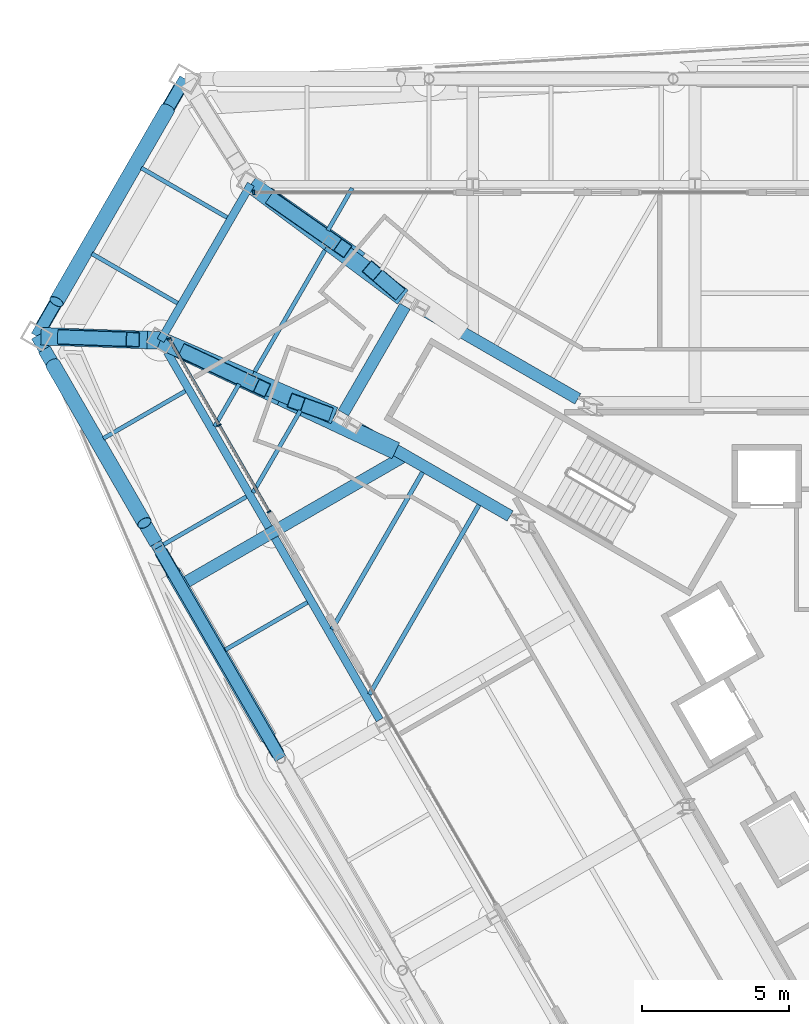
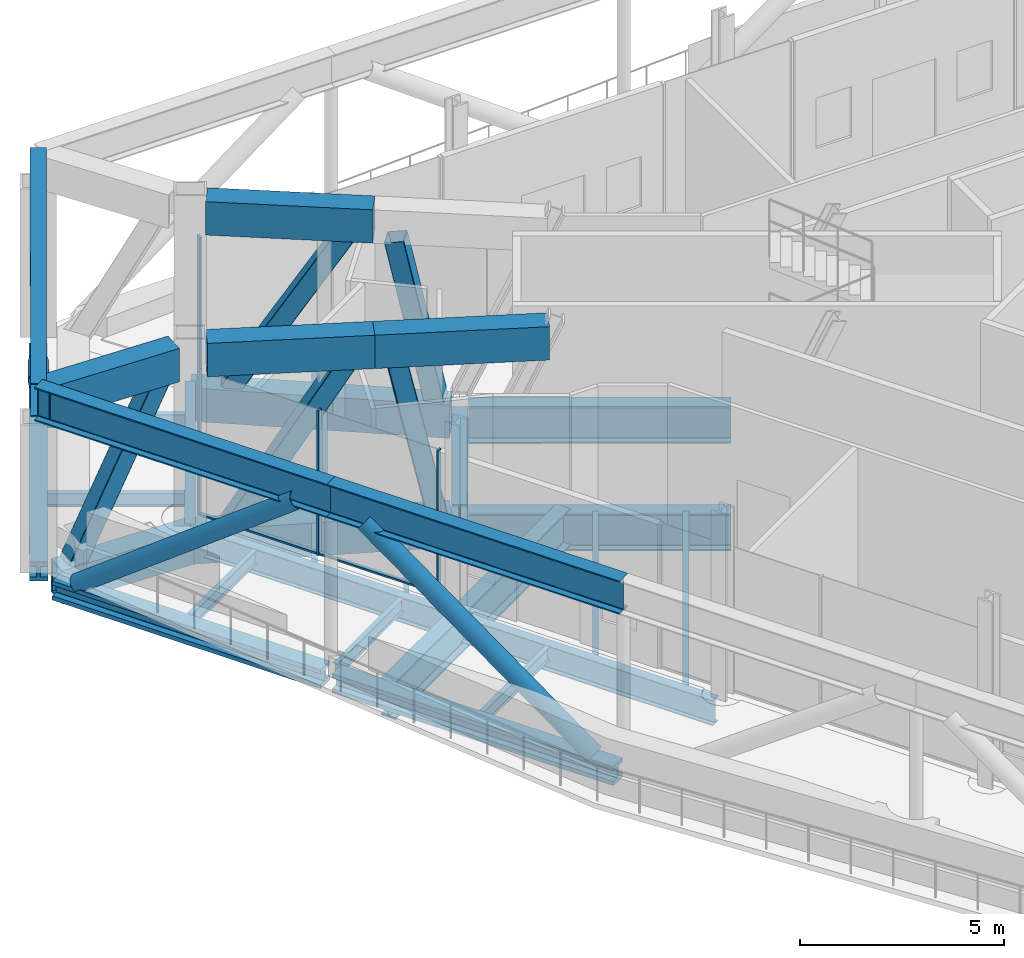
# One storey, part 9 of 25: 33 beams, 14 members, 2 elements without a shape of their own.
"""IFC4 building model written with IfcOpenShell, lengths in metres."""

from ifc_helpers import new_model, si_unit, direction, frame, origin, origin_2d, place, context, subcontext, project, spatial, rectangle, hollow_rectangle, hollow_circle, i_section, extrude, material, material_profile, profile_set, type_object, element, aggregate, save


model = new_model("IFC4")

# Units and contexts
model_context = context("Model", 3, precision=1e-05, world=origin(), true_north=direction((0.0, 1.0)))
body_context = subcontext(model_context, "Body", "Model", "MODEL_VIEW")
ifc_project = project(units=[si_unit("LENGTHUNIT", "METRE"), si_unit("AREAUNIT", "SQUARE_METRE"), si_unit("VOLUMEUNIT", "CUBIC_METRE"), si_unit("PLANEANGLEUNIT", "RADIAN"), si_unit("MASSUNIT", "GRAM", prefix="KILO")], contexts=[model_context])

# Site, building, storey
site_placement = place(None, origin())
site = spatial("IfcSite", under=ifc_project, at=site_placement, CompositionType="ELEMENT")
building_placement = place(site_placement, origin())
building = spatial("IfcBuilding", under=site, at=building_placement, Name="Verrane Prism Tower", CompositionType="ELEMENT")
storey_placement = place(building_placement, frame((0.0, 0.0, 143.199951171875)))
storey = spatial("IfcBuildingStorey", under=building, at=storey_placement, Name="L35", CompositionType="ELEMENT", Elevation=143.199951171875)

# Beams
ifc_material_1 = material(Name="Steel A992", Category="steel")
ifc_material_profile_1 = material_profile(ifc_material_1, i_section(OverallWidth=0.45458984375, OverallDepth=0.56884765625, WebThickness=0.077880859375, FlangeThickness=0.124755859375, FilletRadius=0.01513671875, at=origin_2d()), Name="W14x730")
ifc_profile_set_1 = profile_set([ifc_material_profile_1], Name="Steel A992")
beam_type_1 = type_object("IfcBeamType", Name="Belt truss chord W14x730", PredefinedType="BEAM", material=ifc_profile_set_1)
beam_1_placement = place(storey_placement, frame((-29.660400390625, 10.999755859375, -0.445556640625), z_axis=(0.499529773895, -0.866296718794, 0.0), x_axis=(0.866296718794, 0.499529773895, 0.0)))
element("IfcBeam", 1, at=beam_1_placement, inside=storey, type_object=beam_type_1, Name="Belt truss chord L35", PredefinedType="BEAM", context=body_context, shape_type="SweptSolid", body=[
    extrude(i_section(OverallWidth=0.45458984375, OverallDepth=0.56884765625, WebThickness=0.077880859375, FlangeThickness=0.124755859375, FilletRadius=0.01513671875, at=origin_2d()), origin(), (0.0, 0.0, 1.0), 7.605712890625),
])
beam_2_placement = place(storey_placement, frame((-25.69873046875, 4.12939453125, -0.445556640625), z_axis=(0.50043226125, -0.865775693757, 0.0), x_axis=(0.865775693757, 0.50043226125, 0.0)))
element("IfcBeam", 2, at=beam_2_placement, inside=storey, type_object=beam_type_1, Name="Belt truss chord L35", PredefinedType="BEAM", context=body_context, shape_type="SweptSolid", body=[
    extrude(i_section(OverallWidth=0.45458984375, OverallDepth=0.56884765625, WebThickness=0.077880859375, FlangeThickness=0.124755859375, FilletRadius=0.01513671875, at=origin_2d()), origin(), (0.0, 0.0, 1.0), 7.96826171875),
])
beam_3_placement = place(storey_placement, frame((-25.0546875, 19.88671875, -0.445556640625), z_axis=(-0.499562619687, -0.866277778205, 0.0), x_axis=(0.866277778205, -0.499562619687, 0.0)))
element("IfcBeam", 3, at=beam_3_placement, inside=storey, type_object=beam_type_1, Name="Belt truss chord L35", PredefinedType="BEAM", context=body_context, shape_type="SweptSolid", body=[
    extrude(i_section(OverallWidth=0.45458984375, OverallDepth=0.56884765625, WebThickness=0.077880859375, FlangeThickness=0.124755859375, FilletRadius=0.01513671875, at=origin_2d()), origin(), (0.0, 0.0, 1.0), 9.38916015625),
])
ifc_material_2 = material(Name="Steel A992", Category="steel")
ifc_material_profile_2 = material_profile(ifc_material_2, i_section(OverallWidth=0.4013671875, OverallDepth=1.000732421875, WebThickness=0.01904296875, FlangeThickness=0.0361328125, FilletRadius=0.030029296875, at=origin_2d()), Name="W40x249")
ifc_profile_set_2 = profile_set([ifc_material_profile_2], Name="Steel A992")
beam_type_2 = type_object("IfcBeamType", Name="Belt truss chord W40x249", PredefinedType="BEAM", material=ifc_profile_set_2)
beam_4_placement = place(storey_placement, frame((-29.919921875, 11.449951171875, 4.939697265625), z_axis=(0.499507376936, -0.866309633091, 0.0), x_axis=(0.866309633091, 0.499507376936, 0.0)))
element("IfcBeam", 4, at=beam_4_placement, inside=storey, type_object=beam_type_2, Name="Belt truss chord L35", PredefinedType="BEAM", context=body_context, shape_type="SweptSolid", body=[
    extrude(i_section(OverallWidth=0.4013671875, OverallDepth=1.000732421875, WebThickness=0.01904296875, FlangeThickness=0.0361328125, FilletRadius=0.030029296875, at=origin_2d()), origin(), (0.0, 0.0, 1.0), 8.287841796875),
])
beam_5_placement = place(storey_placement, frame((-25.780029296875, 4.27001953125, 4.939697265625), z_axis=(0.500435030405, -0.865774093135, 0.0), x_axis=(0.865774093135, 0.500435030405, 0.0)))
element("IfcBeam", 5, at=beam_5_placement, inside=storey, type_object=beam_type_2, Name="Belt truss chord L35", PredefinedType="BEAM", context=body_context, shape_type="SweptSolid", body=[
    extrude(i_section(OverallWidth=0.4013671875, OverallDepth=1.000732421875, WebThickness=0.01904296875, FlangeThickness=0.0361328125, FilletRadius=0.030029296875, at=origin_2d()), origin(), (0.0, 0.0, 1.0), 8.29296875),
])
beam_6_placement = place(storey_placement, frame((-24.8798828125, 20.18994140625, 4.939697265625), z_axis=(-0.499554155602, -0.866282659194, 0.0), x_axis=(0.866282659194, -0.499554155602, 0.0)))
element("IfcBeam", 6, at=beam_6_placement, inside=storey, type_object=beam_type_2, Name="Belt truss chord L35", PredefinedType="BEAM", context=body_context, shape_type="SweptSolid", body=[
    extrude(i_section(OverallWidth=0.4013671875, OverallDepth=1.000732421875, WebThickness=0.01904296875, FlangeThickness=0.0361328125, FilletRadius=0.030029296875, at=origin_2d()), origin(), (0.0, 0.0, 1.0), 10.089111328125),
])

# Members
ifc_material_3 = material(Name="Steel A500 Grade C", Category="steel")
ifc_material_profile_3 = material_profile(ifc_material_3, hollow_circle(Radius=0.25390625, WallThickness=0.0126953125, at=origin_2d()), Name="HSS20.000x0.500")
ifc_profile_set_3 = profile_set([ifc_material_profile_3], Name="Steel A500 Grade C")
member_type_1 = type_object("IfcMemberType", Name="Belt truss diagonal HSS20.000x0.500", PredefinedType="BRACE", material=ifc_profile_set_3)
member_1_placement = place(storey_placement, frame((-25.4697265625, 19.16748046875, -0.160888671875), z_axis=(-0.423968800336, -0.735208230676, 0.528884972265), x_axis=(0.866282369064, -0.499554658721, 0.0)))
element("IfcMember", 7, at=member_1_placement, inside=storey, type_object=member_type_1, Name="Belt truss diagonal L35", PredefinedType="BRACE", context=body_context, shape_type="SweptSolid", body=[
    extrude(hollow_circle(Radius=0.25390625, WallThickness=0.0126953125, at=origin_2d()), origin(), (0.0, 0.0, 1.0), 8.905517578125),
])
member_2_placement = place(storey_placement, frame((-29.370361328125, 10.49658203125, -0.160888671875), z_axis=(0.398552898475, -0.69121040119, 0.602813211869), x_axis=(0.866306176798, 0.499513371234, 0.0)))
element("IfcMember", 8, at=member_2_placement, inside=storey, type_object=member_type_1, Name="Belt truss diagonal L35", PredefinedType="BRACE", context=body_context, shape_type="SweptSolid", body=[
    extrude(hollow_circle(Radius=0.25390625, WallThickness=0.0126953125, at=origin_2d()), origin(), (0.0, 0.0, 1.0), 7.813232421875),
])
member_3_placement = place(storey_placement, frame((-22.044677734375, -2.192626953125, -0.160888671875), z_axis=(-0.404989270182, 0.700708769601, 0.587359269309), x_axis=(-0.865792640311, -0.500402941621, 0.0)))
element("IfcMember", 9, at=member_3_placement, inside=storey, type_object=member_type_1, Name="Belt truss diagonal L35", PredefinedType="BRACE", context=body_context, shape_type="SweptSolid", body=[
    extrude(hollow_circle(Radius=0.25390625, WallThickness=0.0126953125, at=origin_2d()), origin(), (0.0, 0.0, 1.0), 8.018798828125),
])

# Beams
ifc_material_4 = material(Name="Steel A992", Category="steel")
ifc_material_profile_4 = material_profile(ifc_material_4, i_section(OverallWidth=0.2666015625, OverallDepth=0.76708984375, WebThickness=0.014892578125, FlangeThickness=0.023681640625, FilletRadius=0.0166015625, at=origin_2d()), Name="W30x124")
ifc_profile_set_4 = profile_set([ifc_material_profile_4], Name="Steel A992")
beam_type_3 = type_object("IfcBeamType", Name="Chamfer spandrel beam W30x124", PredefinedType="SPANDREL", material=ifc_profile_set_4)
beam_7_placement = place(storey_placement, frame((-22.639892578125, 16.610107421875, -0.54345703125), z_axis=(-0.500526255644, -0.86572135668, 0.0), x_axis=(0.86572135668, -0.500526255644, 0.0)))
element("IfcBeam", 10, at=beam_7_placement, inside=storey, type_object=beam_type_3, Name="Chamfer spandrel beam L35", PredefinedType="SPANDREL", context=body_context, shape_type="SweptSolid", body=[
    extrude(i_section(OverallWidth=0.2666015625, OverallDepth=0.76708984375, WebThickness=0.014892578125, FlangeThickness=0.023681640625, FilletRadius=0.0166015625, at=origin_2d()), origin(), (0.0, 0.0, 1.0), 6.1337890625),
])
ifc_material_5 = material(Name="Steel A992", Category="steel")
ifc_material_profile_5 = material_profile(ifc_material_5, i_section(OverallWidth=0.140380859375, OverallDepth=0.40380859375, WebThickness=0.007080078125, FlangeThickness=0.01123046875, FilletRadius=0.01025390625, at=origin_2d()), Name="W16x31")
ifc_profile_set_5 = profile_set([ifc_material_profile_5], Name="Steel A992")
beam_type_4 = type_object("IfcBeamType", Name="Floor beam W16x31", PredefinedType="BEAM", material=ifc_profile_set_5)
beam_8_placement = place(storey_placement, frame((-20.02490234375, 15.03955078125, -0.36181640625), z_axis=(0.499968694491, 0.866043477274, 0.0), x_axis=(-0.866043477274, 0.499968694491, 0.0)))
element("IfcBeam", 11, at=beam_8_placement, inside=storey, type_object=beam_type_4, Name="Floor beam L35", PredefinedType="BEAM", context=body_context, shape_type="SweptSolid", body=[
    extrude(i_section(OverallWidth=0.140380859375, OverallDepth=0.40380859375, WebThickness=0.007080078125, FlangeThickness=0.01123046875, FilletRadius=0.01025390625, at=origin_2d()), origin(), (0.0, 0.0, 1.0), 1.6591796875),
])
beam_9_placement = place(storey_placement, frame((-23.50634765625, 0.790771484375, -0.36181640625), z_axis=(0.866036570771, 0.499980657714, 0.0), x_axis=(-0.499980657714, 0.866036570771, 0.0)))
element("IfcBeam", 12, at=beam_9_placement, inside=storey, type_object=beam_type_4, Name="Floor beam L35", PredefinedType="BEAM", context=body_context, shape_type="SweptSolid", body=[
    extrude(i_section(OverallWidth=0.140380859375, OverallDepth=0.40380859375, WebThickness=0.007080078125, FlangeThickness=0.01123046875, FilletRadius=0.01025390625, at=origin_2d()), origin(), (0.0, 0.0, 1.0), 3.219482421875),
])
beam_10_placement = place(storey_placement, frame((-25.6044921875, 4.36669921875, -0.36181640625), z_axis=(0.86600537477, 0.500034689667, 0.0), x_axis=(-0.500034689667, 0.86600537477, 0.0)))
element("IfcBeam", 13, at=beam_10_placement, inside=storey, type_object=beam_type_4, Name="Floor beam L35", PredefinedType="BEAM", context=body_context, shape_type="SweptSolid", body=[
    extrude(i_section(OverallWidth=0.140380859375, OverallDepth=0.40380859375, WebThickness=0.007080078125, FlangeThickness=0.01123046875, FilletRadius=0.01025390625, at=origin_2d()), origin(), (0.0, 0.0, 1.0), 3.248779296875),
])
beam_11_placement = place(storey_placement, frame((-27.652099609375, 7.971923828125, -0.36181640625), z_axis=(0.866009786687, 0.500027048631, 0.0), x_axis=(-0.500027048631, 0.866009786687, 0.0)))
element("IfcBeam", 14, at=beam_11_placement, inside=storey, type_object=beam_type_4, Name="Floor beam L35", PredefinedType="BEAM", context=body_context, shape_type="SweptSolid", body=[
    extrude(i_section(OverallWidth=0.140380859375, OverallDepth=0.40380859375, WebThickness=0.007080078125, FlangeThickness=0.01123046875, FilletRadius=0.01025390625, at=origin_2d()), origin(), (0.0, 0.0, 1.0), 3.214599609375),
])
beam_12_placement = place(storey_placement, frame((-22.56494140625, 6.133544921875, -0.36181640625), z_axis=(0.499991807846, 0.866030133475, 0.0), x_axis=(-0.866030133475, 0.499991807846, 0.0)))
element("IfcBeam", 15, at=beam_12_placement, inside=storey, type_object=beam_type_4, Name="Floor beam L35", PredefinedType="BEAM", context=body_context, shape_type="SweptSolid", body=[
    extrude(i_section(OverallWidth=0.140380859375, OverallDepth=0.40380859375, WebThickness=0.007080078125, FlangeThickness=0.01123046875, FilletRadius=0.01025390625, at=origin_2d()), origin(), (0.0, 0.0, 1.0), 3.216796875),
])
beam_13_placement = place(storey_placement, frame((-23.867919921875, 8.384033203125, -0.36181640625), z_axis=(0.500147508754, 0.865940222814, 0.0), x_axis=(-0.865940222814, 0.500147508754, 0.0)))
element("IfcBeam", 16, at=beam_13_placement, inside=storey, type_object=beam_type_4, Name="Floor beam L35", PredefinedType="BEAM", context=body_context, shape_type="SweptSolid", body=[
    extrude(i_section(OverallWidth=0.140380859375, OverallDepth=0.40380859375, WebThickness=0.007080078125, FlangeThickness=0.01123046875, FilletRadius=0.01025390625, at=origin_2d()), origin(), (0.0, 0.0, 1.0), 1.6572265625),
])
beam_14_placement = place(storey_placement, frame((-23.44775390625, 15.479736328125, -0.36181640625), z_axis=(-0.86602978671, 0.499992408473, 0.0), x_axis=(-0.499992408473, -0.86602978671, 0.0)))
element("IfcBeam", 17, at=beam_14_placement, inside=storey, type_object=beam_type_4, Name="Floor beam L35", PredefinedType="BEAM", context=body_context, shape_type="SweptSolid", body=[
    extrude(i_section(OverallWidth=0.140380859375, OverallDepth=0.40380859375, WebThickness=0.007080078125, FlangeThickness=0.01123046875, FilletRadius=0.01025390625, at=origin_2d()), origin(), (0.0, 0.0, 1.0), 3.3662109375),
])
beam_15_placement = place(storey_placement, frame((-25.130859375, 12.568359375, -0.36181640625), z_axis=(-0.86604533599, 0.499965474818, 0.0), x_axis=(-0.499965474818, -0.86604533599, 0.0)))
element("IfcBeam", 18, at=beam_15_placement, inside=storey, type_object=beam_type_4, Name="Floor beam L35", PredefinedType="BEAM", context=body_context, shape_type="SweptSolid", body=[
    extrude(i_section(OverallWidth=0.140380859375, OverallDepth=0.40380859375, WebThickness=0.007080078125, FlangeThickness=0.01123046875, FilletRadius=0.01025390625, at=origin_2d()), origin(), (0.0, 0.0, 1.0), 3.362548828125),
])
beam_16_placement = place(storey_placement, frame((-22.503173828125, 10.2412109375, -0.36181640625), z_axis=(0.500005049665, 0.866022488339, 0.0), x_axis=(-0.866022488339, 0.500005049665, 0.0)))
element("IfcBeam", 19, at=beam_16_placement, inside=storey, type_object=beam_type_4, Name="Floor beam L35", PredefinedType="BEAM", context=body_context, shape_type="SweptSolid", body=[
    extrude(i_section(OverallWidth=0.140380859375, OverallDepth=0.40380859375, WebThickness=0.007080078125, FlangeThickness=0.01123046875, FilletRadius=0.01025390625, at=origin_2d()), origin(), (0.0, 0.0, 1.0), 4.76123046875),
])
ifc_material_6 = material(Name="Steel A992", Category="steel")
ifc_material_profile_6 = material_profile(ifc_material_6, i_section(OverallWidth=0.15234375, OverallDepth=0.449462890625, WebThickness=0.007568359375, FlangeThickness=0.0107421875, FilletRadius=0.01025390625, at=origin_2d()), Name="W18x35")
ifc_profile_set_6 = profile_set([ifc_material_profile_6], Name="Steel A992")
beam_type_5 = type_object("IfcBeamType", Name="Floor beam W18x35", PredefinedType="BEAM", material=ifc_profile_set_6)
beam_17_placement = place(storey_placement, frame((-18.60693359375, -0.727294921875, -0.384765625), z_axis=(0.50001230818, 0.866018297537, 0.0), x_axis=(-0.866018297537, 0.50001230818, 0.0)))
element("IfcBeam", 20, at=beam_17_placement, inside=storey, type_object=beam_type_5, Name="Floor beam L35", PredefinedType="BEAM", context=body_context, shape_type="SweptSolid", body=[
    extrude(i_section(OverallWidth=0.15234375, OverallDepth=0.449462890625, WebThickness=0.007568359375, FlangeThickness=0.0107421875, FilletRadius=0.01025390625, at=origin_2d()), origin(), (0.0, 0.0, 1.0), 7.436767578125),
])
beam_18_placement = place(storey_placement, frame((-19.8837890625, 1.487548828125, -0.384765625), z_axis=(0.500007360046, 0.866021154418, 0.0), x_axis=(-0.866021154418, 0.500007360046, 0.0)))
element("IfcBeam", 21, at=beam_18_placement, inside=storey, type_object=beam_type_5, Name="Floor beam L35", PredefinedType="BEAM", context=body_context, shape_type="SweptSolid", body=[
    extrude(i_section(OverallWidth=0.15234375, OverallDepth=0.449462890625, WebThickness=0.007568359375, FlangeThickness=0.0107421875, FilletRadius=0.01025390625, at=origin_2d()), origin(), (0.0, 0.0, 1.0), 6.15673828125),
])

# Curtain wall, members
ifc_material_7 = material(Name="Aluminium framed insulated glazing", Category="aluminium")
curtain_wall_type_1 = type_object("IfcCurtainWallType", Name="Curtain wall CW-C 4200 module", PredefinedType="NOTDEFINED", material=ifc_material_7)
curtain_wall_1_placement = place(storey_placement, origin())
curtain_wall_1 = element("IfcCurtainWall", 22, at=curtain_wall_1_placement, inside=storey, type_object=curtain_wall_type_1, Name="Refuge lounge glazing south-west face L35 1", PredefinedType="NOTDEFINED")
ifc_material_8 = material(Name="Aluminium alloy 6063-T6", Category="aluminium")
ifc_material_profile_7 = material_profile(ifc_material_8, rectangle(XDim=0.139892578125, YDim=0.050048828125, at=origin_2d()), Name="Mullion 50x140 aluminium")
ifc_profile_set_7 = profile_set([ifc_material_profile_7], Name="Aluminium alloy 6063-T6")
member_type_2 = type_object("IfcMemberType", Name="Mullion 50x140 aluminium", PredefinedType="MULLION", material=ifc_profile_set_7)
member_4_placement = place(storey_placement, frame((-25.415771484375, 11.359130859375, 0.0), z_axis=(0.0, 0.0, 1.0), x_axis=(0.866024567596, 0.500001448318, 0.0)))
member_4 = element("IfcMember", 23, at=member_4_placement, type_object=member_type_2, Name="CW35.4.1 mullion 1", PredefinedType="MULLION", context=body_context, shape_type="SweptSolid", body=[
    extrude(rectangle(XDim=0.139892578125, YDim=0.050048828125, at=origin_2d()), origin(), (0.0, 0.0, 1.0), 4.322509765625),
])
member_5_placement = place(storey_placement, frame((-23.71923828125, 8.420654296875, 0.0), z_axis=(0.0, 0.0, 1.0), x_axis=(0.866024567596, 0.500001448318, 0.0)))
member_5 = element("IfcMember", 24, at=member_5_placement, type_object=member_type_2, Name="CW35.4.1 mullion 2", PredefinedType="MULLION", context=body_context, shape_type="SweptSolid", body=[
    extrude(rectangle(XDim=0.139892578125, YDim=0.050048828125, at=origin_2d()), origin(), (0.0, 0.0, 1.0), 4.322509765625),
])
member_6_placement = place(storey_placement, frame((-22.022705078125, 5.482177734375, 0.0), z_axis=(0.0, 0.0, 1.0), x_axis=(0.866024567596, 0.500001448318, 0.0)))
member_6 = element("IfcMember", 25, at=member_6_placement, type_object=member_type_2, Name="CW35.4.1 mullion 3", PredefinedType="MULLION", context=body_context, shape_type="SweptSolid", body=[
    extrude(rectangle(XDim=0.139892578125, YDim=0.050048828125, at=origin_2d()), origin(), (0.0, 0.0, 1.0), 4.322509765625),
])

# Curtain wall, member
ifc_material_9 = material(Name="Aluminium framed insulated glazing", Category="aluminium")
curtain_wall_type_2 = type_object("IfcCurtainWallType", Name="Curtain wall CW-B 5600 module", PredefinedType="NOTDEFINED", material=ifc_material_9)
curtain_wall_2_placement = place(storey_placement, origin())
curtain_wall_2 = element("IfcCurtainWall", 26, at=curtain_wall_2_placement, inside=storey, type_object=curtain_wall_type_2, Name="Refuge lounge glazing north face L35 3", PredefinedType="NOTDEFINED")
ifc_material_10 = material(Name="Aluminium alloy 6063-T6", Category="aluminium")
ifc_material_profile_8 = material_profile(ifc_material_10, rectangle(XDim=0.159912109375, YDim=0.06005859375, at=origin_2d()), Name="Mullion 60x160 aluminium")
ifc_profile_set_8 = profile_set([ifc_material_profile_8], Name="Aluminium alloy 6063-T6")
member_type_3 = type_object("IfcMemberType", Name="Mullion 60x160 aluminium", PredefinedType="MULLION", material=ifc_profile_set_8)
member_7_placement = place(storey_placement, frame((-22.540283203125, 16.3310546875, 0.0), z_axis=(0.0, 0.0, 1.0), x_axis=(0.0, -1.0, 0.0)))
member_7 = element("IfcMember", 27, at=member_7_placement, type_object=member_type_3, Name="CW35.2.3 mullion 2", PredefinedType="MULLION", context=body_context, shape_type="SweptSolid", body=[
    extrude(rectangle(XDim=0.159912109375, YDim=0.06005859375, at=origin_2d()), origin(), (0.0, 0.0, 1.0), 4.322509765625),
])
aggregate(curtain_wall_2, [member_7])

# Beams
ifc_material_11 = material(Name="Steel A572 Grade 50", Category="steel")
ifc_material_profile_9 = material_profile(ifc_material_11, hollow_rectangle(XDim=0.60009765625, YDim=1.0, WallThickness=0.06005859375, at=origin_2d()), Name="BOX 1000x600x60")
ifc_profile_set_9 = profile_set([ifc_material_profile_9], Name="Steel A572 Grade 50")
beam_type_6 = type_object("IfcBeamType", Name="Outrigger truss chord BOX 1000x600x60", PredefinedType="BEAM", material=ifc_profile_set_9)
beam_19_placement = place(storey_placement, frame((-22.639892578125, 16.610107421875, -0.659912109375), z_axis=(0.802493873122, -0.596660358665, 0.0), x_axis=(0.596660358665, 0.802493873122, 0.0)))
element("IfcBeam", 28, at=beam_19_placement, inside=storey, type_object=beam_type_6, Name="Outrigger truss chord L35", PredefinedType="BEAM", context=body_context, shape_type="SweptSolid", body=[
    extrude(hollow_rectangle(XDim=0.60009765625, YDim=1.0, WallThickness=0.06005859375, at=origin_2d()), origin(), (0.0, 0.0, 1.0), 3.3271484375),
])
beam_20_placement = place(storey_placement, frame((-19.969970703125, 14.625, -0.659912109375), z_axis=(0.802509592696, -0.596639215633, 0.0), x_axis=(0.596639215633, 0.802509592696, 0.0)))
element("IfcBeam", 29, at=beam_20_placement, inside=storey, type_object=beam_type_6, Name="Outrigger truss chord L35", PredefinedType="BEAM", context=body_context, shape_type="SweptSolid", body=[
    extrude(hollow_rectangle(XDim=0.60009765625, YDim=1.0, WallThickness=0.06005859375, at=origin_2d()), origin(), (0.0, 0.0, 1.0), 3.108154296875),
])
beam_21_placement = place(storey_placement, frame((-22.310546875, 16.380615234375, 4.93994140625), z_axis=(0.820452067847, -0.571715317589, 0.0), x_axis=(0.571715317589, 0.820452067847, 0.0)))
element("IfcBeam", 30, at=beam_21_placement, inside=storey, type_object=beam_type_6, Name="Outrigger truss chord L35", PredefinedType="BEAM", context=body_context, shape_type="SweptSolid", body=[
    extrude(hollow_rectangle(XDim=0.60009765625, YDim=1.0, WallThickness=0.06005859375, at=origin_2d()), origin(), (0.0, 0.0, 1.0), 4.120361328125),
])
beam_22_placement = place(storey_placement, frame((-29.410888671875, 11.431884765625, -0.659912109375), z_axis=(0.999366125424, -0.035599822398, 0.0), x_axis=(0.035599822398, 0.999366125424, 0.0)))
element("IfcBeam", 31, at=beam_22_placement, inside=storey, type_object=beam_type_6, Name="Outrigger truss chord L35", PredefinedType="BEAM", context=body_context, shape_type="SweptSolid", body=[
    extrude(hollow_rectangle(XDim=0.60009765625, YDim=1.0, WallThickness=0.06005859375, at=origin_2d()), origin(), (0.0, 0.0, 1.0), 3.703369140625),
])
beam_23_placement = place(storey_placement, frame((-25.7099609375, 11.300048828125, -0.659912109375), z_axis=(0.917964628263, -0.396662250861, 0.0), x_axis=(0.396662250861, 0.917964628263, 0.0)))
element("IfcBeam", 32, at=beam_23_placement, inside=storey, type_object=beam_type_6, Name="Outrigger truss chord L35", PredefinedType="BEAM", context=body_context, shape_type="SweptSolid", body=[
    extrude(hollow_rectangle(XDim=0.60009765625, YDim=1.0, WallThickness=0.06005859375, at=origin_2d()), origin(), (0.0, 0.0, 1.0), 3.327880859375),
])
beam_24_placement = place(storey_placement, frame((-22.655029296875, 9.97998046875, -0.659912109375), z_axis=(0.917959055432, -0.396675147382, 0.0), x_axis=(0.396675147382, 0.917959055432, 0.0)))
element("IfcBeam", 33, at=beam_24_placement, inside=storey, type_object=beam_type_6, Name="Outrigger truss chord L35", PredefinedType="BEAM", context=body_context, shape_type="SweptSolid", body=[
    extrude(hollow_rectangle(XDim=0.60009765625, YDim=1.0, WallThickness=0.06005859375, at=origin_2d()), origin(), (0.0, 0.0, 1.0), 3.109375),
])
beam_25_placement = place(storey_placement, frame((-29.77001953125, 11.444580078125, 4.93994140625), z_axis=(0.99936698325, -0.035575733161, 0.0), x_axis=(0.035575733161, 0.99936698325, 0.0)))
element("IfcBeam", 34, at=beam_25_placement, inside=storey, type_object=beam_type_6, Name="Outrigger truss chord L35", PredefinedType="BEAM", context=body_context, shape_type="SweptSolid", body=[
    extrude(hollow_rectangle(XDim=0.60009765625, YDim=1.0, WallThickness=0.06005859375, at=origin_2d()), origin(), (0.0, 0.0, 1.0), 3.609619140625),
])
beam_26_placement = place(storey_placement, frame((-25.346435546875, 11.129638671875, 4.93994140625), z_axis=(0.905399166904, -0.424561360194, 0.0), x_axis=(0.424561360194, 0.905399166904, 0.0)))
element("IfcBeam", 35, at=beam_26_placement, inside=storey, type_object=beam_type_6, Name="Outrigger truss chord L35", PredefinedType="BEAM", context=body_context, shape_type="SweptSolid", body=[
    extrude(hollow_rectangle(XDim=0.60009765625, YDim=1.0, WallThickness=0.06005859375, at=origin_2d()), origin(), (0.0, 0.0, 1.0), 4.121337890625),
])
beam_27_placement = place(storey_placement, frame((-21.614990234375, 9.3798828125, 4.93994140625), z_axis=(0.905428283881, -0.424499261187, 0.0), x_axis=(0.424499261187, 0.905428283881, 0.0)))
element("IfcBeam", 36, at=beam_27_placement, inside=storey, type_object=beam_type_6, Name="Outrigger truss chord L35", PredefinedType="BEAM", context=body_context, shape_type="SweptSolid", body=[
    extrude(hollow_rectangle(XDim=0.60009765625, YDim=1.0, WallThickness=0.06005859375, at=origin_2d()), origin(), (0.0, 0.0, 1.0), 4.304931640625),
])

# Members
ifc_material_12 = material(Name="Steel A500 Grade C", Category="steel")
ifc_material_profile_10 = material_profile(ifc_material_12, hollow_rectangle(XDim=0.508056640625, YDim=0.508056640625, WallThickness=0.01904296875, InnerFilletRadius=0.009521484375, OuterFilletRadius=0.028564453125, at=origin_2d()), Name="HSS20x20x3/4")
ifc_profile_set_10 = profile_set([ifc_material_profile_10], Name="Steel A500 Grade C")
member_type_4 = type_object("IfcMemberType", Name="Outrigger truss diagonal HSS20x20x3/4", PredefinedType="BRACE", material=ifc_profile_set_10)
member_8_placement = place(storey_placement, frame((-21.830322265625, 16.0458984375, -0.219970703125), z_axis=(0.420845531038, -0.29323315963, 0.858430750322), x_axis=(0.57168319155, 0.820474453288, 0.0)))
element("IfcMember", 37, at=member_8_placement, inside=storey, type_object=member_type_4, Name="Outrigger truss diagonal L35", PredefinedType="BRACE", context=body_context, shape_type="SweptSolid", body=[
    extrude(hollow_rectangle(XDim=0.508056640625, YDim=0.508056640625, WallThickness=0.01904296875, InnerFilletRadius=0.009521484375, OuterFilletRadius=0.028564453125, at=origin_2d()), origin(), (0.0, 0.0, 1.0), 5.498291015625),
])
member_9_placement = place(storey_placement, frame((-17.745849609375, 13.018798828125, -0.219970703125), z_axis=(-0.159187526243, 0.135261342604, 0.977938495349), x_axis=(-0.647514857435, -0.76205282586, 0.0)))
element("IfcMember", 38, at=member_9_placement, inside=storey, type_object=member_type_4, Name="Outrigger truss diagonal L35", PredefinedType="BRACE", context=body_context, shape_type="SweptSolid", body=[
    extrude(hollow_rectangle(XDim=0.508056640625, YDim=0.508056640625, WallThickness=0.01904296875, InnerFilletRadius=0.009521484375, OuterFilletRadius=0.028564453125, at=origin_2d()), origin(), (0.0, 0.0, 1.0), 4.826416015625),
])
member_10_placement = place(storey_placement, frame((-28.9794921875, 11.41650390625, -0.219970703125), z_axis=(0.442420948658, -0.015769275872, 0.896668854219), x_axis=(0.035620529592, 0.999365387569, 0.0)))
element("IfcMember", 39, at=member_10_placement, inside=storey, type_object=member_type_4, Name="Outrigger truss diagonal L35", PredefinedType="BRACE", context=body_context, shape_type="SweptSolid", body=[
    extrude(hollow_rectangle(XDim=0.508056640625, YDim=0.508056640625, WallThickness=0.01904296875, InnerFilletRadius=0.009521484375, OuterFilletRadius=0.028564453125, at=origin_2d()), origin(), (0.0, 0.0, 1.0), 5.263916015625),
])
member_11_placement = place(storey_placement, frame((-24.81640625, 10.881103515625, -0.219970703125), z_axis=(0.464502201695, -0.217821430082, 0.858365615118), x_axis=(0.424571339575, 0.905394487288, 0.0)))
element("IfcMember", 40, at=member_11_placement, inside=storey, type_object=member_type_4, Name="Outrigger truss diagonal L35", PredefinedType="BRACE", context=body_context, shape_type="SweptSolid", body=[
    extrude(hollow_rectangle(XDim=0.508056640625, YDim=0.508056640625, WallThickness=0.01904296875, InnerFilletRadius=0.009521484375, OuterFilletRadius=0.028564453125, at=origin_2d()), origin(), (0.0, 0.0, 1.0), 5.498779296875),
])
member_12_placement = place(storey_placement, frame((-20.151123046875, 8.85693359375, -0.219970703125), z_axis=(-0.196817389631, 0.070309990128, 0.977915855494), x_axis=(-0.336413055, -0.941714530219, 0.0)))
element("IfcMember", 41, at=member_12_placement, inside=storey, type_object=member_type_4, Name="Outrigger truss diagonal L35", PredefinedType="BRACE", context=body_context, shape_type="SweptSolid", body=[
    extrude(hollow_rectangle(XDim=0.508056640625, YDim=0.508056640625, WallThickness=0.01904296875, InnerFilletRadius=0.009521484375, OuterFilletRadius=0.028564453125, at=origin_2d()), origin(), (0.0, 0.0, 1.0), 4.82666015625),
])

# Beams
ifc_material_13 = material(Name="Steel A992", Category="steel")
ifc_material_profile_11 = material_profile(ifc_material_13, i_section(OverallWidth=0.2666015625, OverallDepth=0.7568359375, WebThickness=0.013916015625, FlangeThickness=0.019287109375, FilletRadius=0.0166015625, at=origin_2d()), Name="W30x108")
ifc_profile_set_11 = profile_set([ifc_material_profile_11], Name="Steel A992")
beam_type_7 = type_object("IfcBeamType", Name="Spandrel beam W30x108", PredefinedType="SPANDREL", material=ifc_profile_set_11)
beam_28_placement = place(storey_placement, frame((-25.478759765625, 10.900390625, -0.538330078125), z_axis=(0.500974701182, -0.865461927976, 0.0), x_axis=(0.865461927976, 0.500974701182, 0.0)))
element("IfcBeam", 42, at=beam_28_placement, inside=storey, type_object=beam_type_7, Name="Spandrel beam L35", PredefinedType="SPANDREL", context=body_context, shape_type="SweptSolid", body=[
    extrude(i_section(OverallWidth=0.2666015625, OverallDepth=0.7568359375, WebThickness=0.013916015625, FlangeThickness=0.019287109375, FilletRadius=0.0166015625, at=origin_2d()), origin(), (0.0, 0.0, 1.0), 6.877685546875),
])
beam_29_placement = place(storey_placement, frame((-21.827392578125, 4.591796875, -0.538330078125), z_axis=(0.499432230493, -0.866352957601, 0.0), x_axis=(0.866352957601, 0.499432230493, 0.0)))
element("IfcBeam", 43, at=beam_29_placement, inside=storey, type_object=beam_type_7, Name="Spandrel beam L35", PredefinedType="SPANDREL", context=body_context, shape_type="SweptSolid", body=[
    extrude(i_section(OverallWidth=0.2666015625, OverallDepth=0.7568359375, WebThickness=0.013916015625, FlangeThickness=0.019287109375, FilletRadius=0.0166015625, at=origin_2d()), origin(), (0.0, 0.0, 1.0), 7.137451171875),
])
ifc_material_14 = material(Name="Steel A992", Category="steel")
ifc_material_profile_12 = material_profile(ifc_material_14, i_section(OverallWidth=0.40380859375, OverallDepth=1.11767578125, WebThickness=0.026123046875, FlangeThickness=0.044921875, FilletRadius=0.02001953125, at=origin_2d()), Name="W44x335")
ifc_profile_set_12 = profile_set([ifc_material_profile_12], Name="Steel A992")
beam_type_8 = type_object("IfcBeamType", Name="Transfer girder W44x335", PredefinedType="BEAM", material=ifc_profile_set_12)
beam_30_placement = place(storey_placement, frame((-11.53076171875, 9.315673828125, -0.808837890625), z_axis=(-0.866455532004, 0.499254254924, 0.0), x_axis=(-0.499254254924, -0.866455532004, 0.0)))
element("IfcBeam", 44, at=beam_30_placement, inside=storey, type_object=beam_type_8, Name="Transfer girder L35", PredefinedType="BEAM", context=body_context, shape_type="SweptSolid", body=[
    extrude(i_section(OverallWidth=0.40380859375, OverallDepth=1.11767578125, WebThickness=0.026123046875, FlangeThickness=0.044921875, FilletRadius=0.02001953125, at=origin_2d()), origin(), (0.0, 0.0, 1.0), 6.441162109375),
])
beam_31_placement = place(storey_placement, frame((-17.40283203125, 12.4619140625, -0.808837890625), z_axis=(-0.500367003619, -0.865813410435, 0.0), x_axis=(0.865813410435, -0.500367003619, 0.0)))
element("IfcBeam", 45, at=beam_31_placement, inside=storey, type_object=beam_type_8, Name="Transfer girder L35", PredefinedType="BEAM", context=body_context, shape_type="SweptSolid", body=[
    extrude(i_section(OverallWidth=0.40380859375, OverallDepth=1.11767578125, WebThickness=0.026123046875, FlangeThickness=0.044921875, FilletRadius=0.02001953125, at=origin_2d()), origin(), (0.0, 0.0, 1.0), 4.185302734375),
])
beam_32_placement = place(storey_placement, frame((-19.411865234375, 8.551513671875, -0.808837890625), z_axis=(0.866455532004, -0.499254254924, 0.0), x_axis=(0.499254254924, 0.866455532004, 0.0)))
element("IfcBeam", 46, at=beam_32_placement, inside=storey, type_object=beam_type_8, Name="Transfer girder L35", PredefinedType="BEAM", context=body_context, shape_type="SweptSolid", body=[
    extrude(i_section(OverallWidth=0.40380859375, OverallDepth=1.11767578125, WebThickness=0.026123046875, FlangeThickness=0.044921875, FilletRadius=0.02001953125, at=origin_2d()), origin(), (0.0, 0.0, 1.0), 6.441162109375),
])
beam_33_placement = place(storey_placement, frame((-24.836181640625, 3.092041015625, -0.71875), z_axis=(0.86601763207, 0.500013460763, 0.0), x_axis=(-0.500013460763, 0.86601763207, 0.0)))
element("IfcBeam", 47, at=beam_33_placement, inside=storey, type_object=beam_type_8, Name="Transfer girder L35", PredefinedType="BEAM", context=body_context, shape_type="SweptSolid", body=[
    extrude(i_section(OverallWidth=0.40380859375, OverallDepth=1.11767578125, WebThickness=0.026123046875, FlangeThickness=0.044921875, FilletRadius=0.02001953125, at=origin_2d()), origin(), (0.0, 0.0, 1.0), 8.593505859375),
])

# Member
ifc_material_15 = material(Name="Aluminium alloy 6063-T6", Category="aluminium")
ifc_material_profile_13 = material_profile(ifc_material_15, rectangle(XDim=0.10009765625, YDim=0.050048828125, at=origin_2d()), Name="Transom 50x100 aluminium")
ifc_profile_set_13 = profile_set([ifc_material_profile_13], Name="Aluminium alloy 6063-T6")
member_type_5 = type_object("IfcMemberType", Name="Transom 50x100 aluminium", PredefinedType="USERDEFINED", material=ifc_profile_set_13)
member_13_placement = place(storey_placement, frame((-25.4033203125, 11.337646484375, 0.025146484375), z_axis=(0.50001112685, -0.866018979599, 0.0), x_axis=(0.866018979599, 0.50001112685, 0.0)))
member_13 = element("IfcMember", 48, at=member_13_placement, type_object=member_type_5, Name="CW35.4.1 transom 1", ObjectType="TRANSOM", PredefinedType="USERDEFINED", context=body_context, shape_type="SweptSolid", body=[
    extrude(rectangle(XDim=0.10009765625, YDim=0.050048828125, at=origin_2d()), origin(), (0.0, 0.0, 1.0), 3.34326171875),
])

member_14_placement = place(storey_placement, frame((-23.70654296875, 8.399169921875, 0.025146484375), z_axis=(0.499956354932, -0.86605060081, 0.0), x_axis=(0.86605060081, 0.499956354932, 0.0)))
member_14 = element("IfcMember", 49, at=member_14_placement, type_object=member_type_5, Name="CW35.4.1 transom 2", ObjectType="TRANSOM", PredefinedType="USERDEFINED", context=body_context, shape_type="SweptSolid", body=[
    extrude(rectangle(XDim=0.10009765625, YDim=0.050048828125, at=origin_2d()), origin(), (0.0, 0.0, 1.0), 3.343017578125),
])

aggregate(curtain_wall_1, [member_4, member_5, member_6, member_13, member_14])

save(model, "model.ifc")
